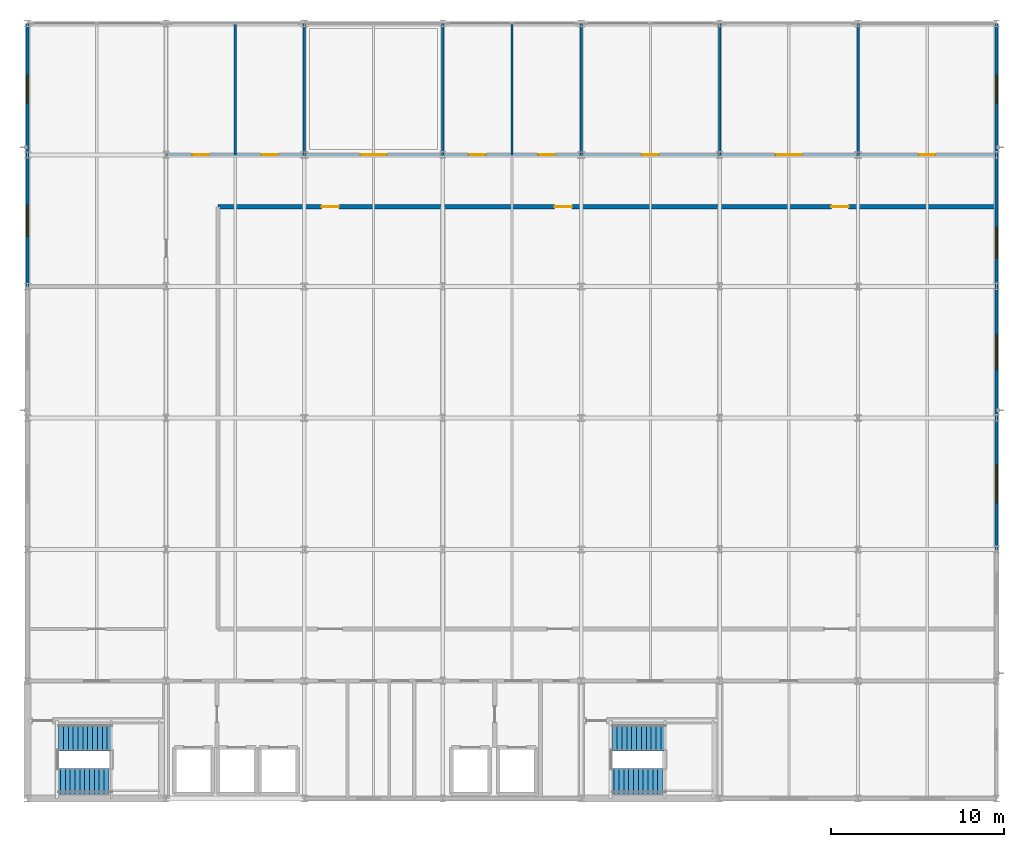
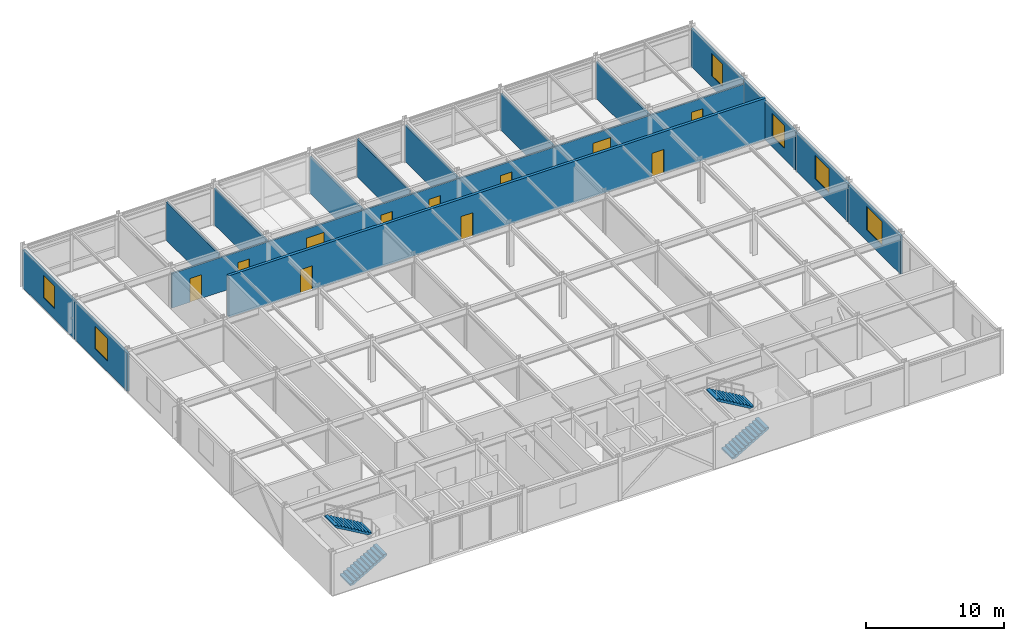
# One storey, part 13 of 18: 15 walls, 11 doors, 6 windows, 4 stair flights, 17 openings, 2 elements without a shape of their own.
"""IFC4 building model written with IfcOpenShell, lengths in metres."""

from ifc_helpers import new_model, si_unit, direction, frame, frame_2d, origin, place, context, subcontext, project, spatial, polyline, rectangle, outline, extrude, material, layer, layer_set, type_object, element, fill, aggregate, save


model = new_model("IFC4")

# Units and contexts
model_context = context("Model", 3, precision=1e-05, world=origin(), true_north=direction((0.0, 1.0)))
body_context = subcontext(model_context, "Body", "Model", "MODEL_VIEW")
ifc_project = project(units=[si_unit("LENGTHUNIT", "METRE"), si_unit("AREAUNIT", "SQUARE_METRE"), si_unit("VOLUMEUNIT", "CUBIC_METRE"), si_unit("PLANEANGLEUNIT", "RADIAN"), si_unit("MASSUNIT", "GRAM", prefix="KILO")], contexts=[model_context])

# Site, building, storey
site_placement = place(None, origin())
site = spatial("IfcSite", under=ifc_project, at=site_placement, CompositionType="ELEMENT")
building_placement = place(site_placement, origin())
building = spatial("IfcBuilding", under=site, at=building_placement, Name="Shalkamar Park Central Library", CompositionType="ELEMENT")
storey_placement = place(building_placement, frame((0.0, 0.0, 24.300048828125)))
storey = spatial("IfcBuildingStorey", under=building, at=storey_placement, Name="L06", CompositionType="ELEMENT", Elevation=24.300048828125)

# Wall, openings, doors
ifc_material_1 = material(Name="Acoustic insulated reading partition", Category="masonry")
ifc_layer_1 = layer(ifc_material_1, 0.139892578125)
ifc_layer_set_1 = layer_set([ifc_layer_1], Name="AcousticPartition_140")
wall_type_1 = type_object("IfcWallType", Name="Acoustic Partition 140", PredefinedType="PARTITIONING", material=ifc_layer_set_1)
wall_1_placement = place(storey_placement, frame((173.0, 285.60009765625, 0.0), z_axis=(0.0, 0.0, 1.0), x_axis=(1.0, 0.0, 0.0)))
wall_1 = element("IfcWall", 1, at=wall_1_placement, inside=storey, type_object=wall_type_1, Name="Interior Partition WL-INT-L06-019", PredefinedType="PARTITIONING", context=body_context, shape_type="SweptSolid", body=[
    extrude(rectangle(XDim=48.0, YDim=0.139892578125, at=frame_2d((24.0, 0.0))), origin(), (0.0, 0.0, 1.0), 3.057861328125),
])
opening_1_placement = place(wall_1_placement, frame((1.52490234375, 0.0, 0.0)))
opening_1 = element("IfcOpeningElement", 2, at=opening_1_placement, cuts=wall_1, Name="Opening DR-L06-021", PredefinedType="OPENING", context=body_context, shape_type="SweptSolid", body=[
    extrude(rectangle(XDim=0.949951171875, YDim=2.10009765625, at=frame_2d((0.47509765625, 1.050048828125))), frame((0.0, 0.0849609375, 0.0), z_axis=(0.0, -1.0, 0.0), x_axis=(1.0, 0.0, 0.0)), (0.0, 0.0, 1.0), 0.169677734375),
])
opening_2_placement = place(wall_1_placement, frame((5.52490234375, 0.0, 0.0)))
opening_2 = element("IfcOpeningElement", 3, at=opening_2_placement, cuts=wall_1, Name="Opening DR-L06-022", PredefinedType="OPENING", context=body_context, shape_type="SweptSolid", body=[
    extrude(rectangle(XDim=0.949951171875, YDim=2.10009765625, at=frame_2d((0.47509765625, 1.050048828125))), frame((0.0, 0.0849609375, 0.0), z_axis=(0.0, -1.0, 0.0), x_axis=(1.0, 0.0, 0.0)), (0.0, 0.0, 1.0), 0.169677734375),
])
opening_3_placement = place(wall_1_placement, frame((11.25, 0.0, 0.0)))
opening_3 = element("IfcOpeningElement", 4, at=opening_3_placement, cuts=wall_1, Name="Opening DR-L06-023", PredefinedType="OPENING", context=body_context, shape_type="SweptSolid", body=[
    extrude(rectangle(XDim=1.5, YDim=2.25, at=frame_2d((0.75, 1.125))), frame((0.0, 0.0849609375, 0.0), z_axis=(0.0, -1.0, 0.0), x_axis=(1.0, 0.0, 0.0)), (0.0, 0.0, 1.0), 0.169677734375),
])
opening_4_placement = place(wall_1_placement, frame((17.52490234375, 0.0, 0.0)))
opening_4 = element("IfcOpeningElement", 5, at=opening_4_placement, cuts=wall_1, Name="Opening DR-L06-024", PredefinedType="OPENING", context=body_context, shape_type="SweptSolid", body=[
    extrude(rectangle(XDim=0.949951171875, YDim=2.10009765625, at=frame_2d((0.47509765625, 1.050048828125))), frame((0.0, 0.0849609375, 0.0), z_axis=(0.0, -1.0, 0.0), x_axis=(1.0, 0.0, 0.0)), (0.0, 0.0, 1.0), 0.169677734375),
])
opening_5_placement = place(wall_1_placement, frame((21.52490234375, 0.0, 0.0)))
opening_5 = element("IfcOpeningElement", 6, at=opening_5_placement, cuts=wall_1, Name="Opening DR-L06-025", PredefinedType="OPENING", context=body_context, shape_type="SweptSolid", body=[
    extrude(rectangle(XDim=0.949951171875, YDim=2.10009765625, at=frame_2d((0.47509765625, 1.050048828125))), frame((0.0, 0.0849609375, 0.0), z_axis=(0.0, -1.0, 0.0), x_axis=(1.0, 0.0, 0.0)), (0.0, 0.0, 1.0), 0.169677734375),
])
opening_6_placement = place(wall_1_placement, frame((27.52490234375, 0.0, 0.0)))
opening_6 = element("IfcOpeningElement", 7, at=opening_6_placement, cuts=wall_1, Name="Opening DR-L06-026", PredefinedType="OPENING", context=body_context, shape_type="SweptSolid", body=[
    extrude(rectangle(XDim=0.949951171875, YDim=2.10009765625, at=frame_2d((0.47509765625, 1.050048828125))), frame((0.0, 0.0849609375, 0.0), z_axis=(0.0, -1.0, 0.0), x_axis=(1.0, 0.0, 0.0)), (0.0, 0.0, 1.0), 0.169677734375),
])
opening_7_placement = place(wall_1_placement, frame((35.25, 0.0, 0.0)))
opening_7 = element("IfcOpeningElement", 8, at=opening_7_placement, cuts=wall_1, Name="Opening DR-L06-027", PredefinedType="OPENING", context=body_context, shape_type="SweptSolid", body=[
    extrude(rectangle(XDim=1.5, YDim=2.25, at=frame_2d((0.75, 1.125))), frame((0.0, 0.0849609375, 0.0), z_axis=(0.0, -1.0, 0.0), x_axis=(1.0, 0.0, 0.0)), (0.0, 0.0, 1.0), 0.169677734375),
])
opening_8_placement = place(wall_1_placement, frame((43.52490234375, 0.0, 0.0)))
opening_8 = element("IfcOpeningElement", 9, at=opening_8_placement, cuts=wall_1, Name="Opening DR-L06-028", PredefinedType="OPENING", context=body_context, shape_type="SweptSolid", body=[
    extrude(rectangle(XDim=0.949951171875, YDim=2.10009765625, at=frame_2d((0.47509765625, 1.050048828125))), frame((0.0, 0.0849609375, 0.0), z_axis=(0.0, -1.0, 0.0), x_axis=(1.0, 0.0, 0.0)), (0.0, 0.0, 1.0), 0.169677734375),
])
ifc_material_2 = material(Name="Steel S355", Category="steel")
door_type_1 = type_object("IfcDoorType", Name="Interior Door Double 1500x2250", OperationType="DOUBLE_DOOR_SINGLE_SWING", PredefinedType="DOOR", material=ifc_material_2)
door_1_placement = place(opening_3_placement, origin())
door_1 = element("IfcDoor", 10, at=door_1_placement, inside=storey, type_object=door_type_1, Name="L06 Park View Reading Lounge West Door", OperationType="DOUBLE_DOOR_SINGLE_SWING", OverallHeight=2.25, OverallWidth=1.5, PredefinedType="DOOR", context=body_context, shape_type="SweptSolid", body=[
    extrude(rectangle(XDim=1.5, YDim=2.25, at=frame_2d((0.75, 1.125))), frame((0.0, 0.02490234375, 0.0), z_axis=(0.0, -1.0, 0.0), x_axis=(1.0, 0.0, 0.0)), (0.0, 0.0, 1.0), 0.050048828125),
])
fill(opening_3, door_1)
door_2_placement = place(opening_7_placement, origin())
door_2 = element("IfcDoor", 11, at=door_2_placement, inside=storey, type_object=door_type_1, Name="L06 Park View Reading Lounge East Door", OperationType="DOUBLE_DOOR_SINGLE_SWING", OverallHeight=2.25, OverallWidth=1.5, PredefinedType="DOOR", context=body_context, shape_type="SweptSolid", body=[
    extrude(rectangle(XDim=1.5, YDim=2.25, at=frame_2d((0.75, 1.125))), frame((0.0, 0.02490234375, 0.0), z_axis=(0.0, -1.0, 0.0), x_axis=(1.0, 0.0, 0.0)), (0.0, 0.0, 1.0), 0.050048828125),
])
fill(opening_7, door_2)
door_type_2 = type_object("IfcDoorType", Name="Interior Door Single 950x2100", OperationType="NOTDEFINED", PredefinedType="DOOR", material=ifc_material_2)
door_3_placement = place(opening_1_placement, origin())
door_3 = element("IfcDoor", 12, at=door_3_placement, inside=storey, type_object=door_type_2, Name="L06 Carrel Study 1 Door", OperationType="SINGLE_SWING_LEFT", OverallHeight=2.10009765625, OverallWidth=0.949951171875, PredefinedType="DOOR", context=body_context, shape_type="SweptSolid", body=[
    extrude(rectangle(XDim=0.949951171875, YDim=2.10009765625, at=frame_2d((0.47509765625, 1.050048828125))), frame((0.0, 0.02490234375, 0.0), z_axis=(0.0, -1.0, 0.0), x_axis=(1.0, 0.0, 0.0)), (0.0, 0.0, 1.0), 0.050048828125),
])
fill(opening_1, door_3)
door_4_placement = place(opening_2_placement, origin())
door_4 = element("IfcDoor", 13, at=door_4_placement, inside=storey, type_object=door_type_2, Name="L06 Carrel Study 2 Door", OperationType="SINGLE_SWING_LEFT", OverallHeight=2.10009765625, OverallWidth=0.949951171875, PredefinedType="DOOR", context=body_context, shape_type="SweptSolid", body=[
    extrude(rectangle(XDim=0.949951171875, YDim=2.10009765625, at=frame_2d((0.47509765625, 1.050048828125))), frame((0.0, 0.02490234375, 0.0), z_axis=(0.0, -1.0, 0.0), x_axis=(1.0, 0.0, 0.0)), (0.0, 0.0, 1.0), 0.050048828125),
])
fill(opening_2, door_4)
door_5_placement = place(opening_4_placement, origin())
door_5 = element("IfcDoor", 14, at=door_5_placement, inside=storey, type_object=door_type_2, Name="L06 Carrel Study 3 Door", OperationType="SINGLE_SWING_LEFT", OverallHeight=2.10009765625, OverallWidth=0.949951171875, PredefinedType="DOOR", context=body_context, shape_type="SweptSolid", body=[
    extrude(rectangle(XDim=0.949951171875, YDim=2.10009765625, at=frame_2d((0.47509765625, 1.050048828125))), frame((0.0, 0.02490234375, 0.0), z_axis=(0.0, -1.0, 0.0), x_axis=(1.0, 0.0, 0.0)), (0.0, 0.0, 1.0), 0.050048828125),
])
fill(opening_4, door_5)
door_6_placement = place(opening_5_placement, origin())
door_6 = element("IfcDoor", 15, at=door_6_placement, inside=storey, type_object=door_type_2, Name="L06 Carrel Study 4 Door", OperationType="SINGLE_SWING_LEFT", OverallHeight=2.10009765625, OverallWidth=0.949951171875, PredefinedType="DOOR", context=body_context, shape_type="SweptSolid", body=[
    extrude(rectangle(XDim=0.949951171875, YDim=2.10009765625, at=frame_2d((0.47509765625, 1.050048828125))), frame((0.0, 0.02490234375, 0.0), z_axis=(0.0, -1.0, 0.0), x_axis=(1.0, 0.0, 0.0)), (0.0, 0.0, 1.0), 0.050048828125),
])
fill(opening_5, door_6)
door_7_placement = place(opening_6_placement, origin())
door_7 = element("IfcDoor", 16, at=door_7_placement, inside=storey, type_object=door_type_2, Name="L06 Carrel Study 5 Door", OperationType="SINGLE_SWING_RIGHT", OverallHeight=2.10009765625, OverallWidth=0.949951171875, PredefinedType="DOOR", context=body_context, shape_type="SweptSolid", body=[
    extrude(rectangle(XDim=0.949951171875, YDim=2.10009765625, at=frame_2d((0.47509765625, 1.050048828125))), frame((0.0, 0.02490234375, 0.0), z_axis=(0.0, -1.0, 0.0), x_axis=(1.0, 0.0, 0.0)), (0.0, 0.0, 1.0), 0.050048828125),
])
fill(opening_6, door_7)
door_8_placement = place(opening_8_placement, origin())
door_8 = element("IfcDoor", 17, at=door_8_placement, inside=storey, type_object=door_type_2, Name="L06 Seminar Room Door", OperationType="SINGLE_SWING_RIGHT", OverallHeight=2.10009765625, OverallWidth=0.949951171875, PredefinedType="DOOR", context=body_context, shape_type="SweptSolid", body=[
    extrude(rectangle(XDim=0.949951171875, YDim=2.10009765625, at=frame_2d((0.47509765625, 1.050048828125))), frame((0.0, 0.02490234375, 0.0), z_axis=(0.0, -1.0, 0.0), x_axis=(1.0, 0.0, 0.0)), (0.0, 0.0, 1.0), 0.050048828125),
])
fill(opening_8, door_8)

# Walls
wall_2_placement = place(storey_placement, frame((177.0, 285.60009765625, 0.0), z_axis=(0.0, 0.0, 1.0), x_axis=(0.0, 1.0, 0.0)))
element("IfcWall", 18, at=wall_2_placement, inside=storey, type_object=wall_type_1, Name="Interior Partition WL-INT-L06-020", PredefinedType="PARTITIONING", context=body_context, shape_type="SweptSolid", body=[
    extrude(rectangle(XDim=7.599853515625, YDim=0.139892578125, at=frame_2d((3.7998046875, 0.0))), origin(), (0.0, 0.0, 1.0), 3.387939453125),
])
for number, where, z_axis, x_axis, name in (
    (19, (181.0, 285.60009765625, 0.0), (0.0, 0.0, 1.0), (0.0, 1.0, 0.0), "Interior Partition WL-INT-L06-021"),
    (20, (189.0, 285.60009765625, 0.0), (0.0, 0.0, 1.0), (0.0, 1.0, 0.0), "Interior Partition WL-INT-L06-022"),
):
    element("IfcWall", number, at=place(storey_placement, frame(where, z_axis=z_axis, x_axis=x_axis)), inside=storey, type_object=wall_type_1, Name=name, PredefinedType="PARTITIONING", context=body_context, shape_type="SweptSolid", body=[
        extrude(rectangle(XDim=7.599853515625, YDim=0.139892578125, at=frame_2d((3.7998046875, 0.0))), origin(), (0.0, 0.0, 1.0), 3.2080078125),
    ])
wall_3_placement = place(storey_placement, frame((193.0, 285.60009765625, 0.0), z_axis=(0.0, 0.0, 1.0), x_axis=(0.0, 1.0, 0.0)))
element("IfcWall", 21, at=wall_3_placement, inside=storey, type_object=wall_type_1, Name="Interior Partition WL-INT-L06-023", PredefinedType="PARTITIONING", context=body_context, shape_type="SweptSolid", body=[
    extrude(rectangle(XDim=7.599853515625, YDim=0.139892578125, at=frame_2d((3.7998046875, 0.0))), origin(), (0.0, 0.0, 1.0), 3.387939453125),
])
for number, where, z_axis, x_axis, name in (
    (22, (197.0, 285.60009765625, 0.0), (0.0, 0.0, 1.0), (0.0, 1.0, 0.0), "Interior Partition WL-INT-L06-024"),
    (23, (205.0, 285.60009765625, 0.0), (0.0, 0.0, 1.0), (0.0, 1.0, 0.0), "Interior Partition WL-INT-L06-025"),
    (24, (213.0, 285.60009765625, 0.0), (0.0, 0.0, 1.0), (0.0, 1.0, 0.0), "Interior Partition WL-INT-L06-026"),
):
    element("IfcWall", number, at=place(storey_placement, frame(where, z_axis=z_axis, x_axis=x_axis)), inside=storey, type_object=wall_type_1, Name=name, PredefinedType="PARTITIONING", context=body_context, shape_type="SweptSolid", body=[
        extrude(rectangle(XDim=7.599853515625, YDim=0.139892578125, at=frame_2d((3.7998046875, 0.0))), origin(), (0.0, 0.0, 1.0), 3.2080078125),
    ])

# Wall, openings, doors
ifc_material_3 = material(Name="Reinforced fire-compartment masonry wall", Category="masonry")
ifc_layer_2 = layer(ifc_material_3, 0.239990234375)
ifc_layer_set_2 = layer_set([ifc_layer_2], Name="CompartmentWall_240")
wall_type_2 = type_object("IfcWallType", Name="Compartment Wall 240", PredefinedType="PARTITIONING", material=ifc_layer_set_2)
wall_4_placement = place(storey_placement, frame((176.0, 282.60009765625, 0.0), z_axis=(0.0, 0.0, 1.0), x_axis=(1.0, 0.0, 0.0)))
wall_4 = element("IfcWall", 25, at=wall_4_placement, inside=storey, type_object=wall_type_2, Name="Interior Partition WL-INT-L06-016", PredefinedType="PARTITIONING", context=body_context, shape_type="SweptSolid", body=[
    extrude(rectangle(XDim=45.0, YDim=0.239990234375, at=frame_2d((22.5, 0.0))), origin(), (0.0, 0.0, 1.0), 3.659912109375),
])
opening_9_placement = place(wall_4_placement, frame((6.0, 0.0, 0.0)))
opening_9 = element("IfcOpeningElement", 26, at=opening_9_placement, cuts=wall_4, Name="Opening DR-L06-018", PredefinedType="OPENING", context=body_context, shape_type="SweptSolid", body=[
    extrude(rectangle(XDim=1.0, YDim=2.10009765625, at=frame_2d((0.5, 1.050048828125))), frame((0.0, 0.134765625, 0.0), z_axis=(0.0, -1.0, 0.0), x_axis=(1.0, 0.0, 0.0)), (0.0, 0.0, 1.0), 0.269775390625),
])
opening_10_placement = place(wall_4_placement, frame((19.4599609375, 0.0, 0.0)))
opening_10 = element("IfcOpeningElement", 27, at=opening_10_placement, cuts=wall_4, Name="Opening DR-L06-019", PredefinedType="OPENING", context=body_context, shape_type="SweptSolid", body=[
    extrude(rectangle(XDim=1.0, YDim=2.10009765625, at=frame_2d((0.5, 1.050048828125))), frame((0.0, 0.134765625, 0.0), z_axis=(0.0, -1.0, 0.0), x_axis=(1.0, 0.0, 0.0)), (0.0, 0.0, 1.0), 0.269775390625),
])
opening_11_placement = place(wall_4_placement, frame((35.4599609375, 0.0, 0.0)))
opening_11 = element("IfcOpeningElement", 28, at=opening_11_placement, cuts=wall_4, Name="Opening DR-L06-020", PredefinedType="OPENING", context=body_context, shape_type="SweptSolid", body=[
    extrude(rectangle(XDim=1.0, YDim=2.10009765625, at=frame_2d((0.5, 1.050048828125))), frame((0.0, 0.134765625, 0.0), z_axis=(0.0, -1.0, 0.0), x_axis=(1.0, 0.0, 0.0)), (0.0, 0.0, 1.0), 0.269775390625),
])
door_type_3 = type_object("IfcDoorType", Name="Fire Door Single 1000x2100", OperationType="NOTDEFINED", PredefinedType="DOOR", material=ifc_material_2)
door_9_placement = place(opening_9_placement, frame((1.0, 0.0, 0.0), z_axis=(0.0, 0.0, 1.0), x_axis=(-1.0, 0.0, 0.0)))
door_9 = element("IfcDoor", 29, at=door_9_placement, inside=storey, type_object=door_type_3, Name="L06 Stacks A North Escape Door", OperationType="SINGLE_SWING_RIGHT", OverallHeight=2.10009765625, OverallWidth=1.0, PredefinedType="DOOR", context=body_context, shape_type="SweptSolid", body=[
    extrude(rectangle(XDim=1.0, YDim=2.10009765625, at=frame_2d((0.5, 1.050048828125))), frame((0.0, 0.02490234375, 0.0), z_axis=(0.0, -1.0, 0.0), x_axis=(1.0, 0.0, 0.0)), (0.0, 0.0, 1.0), 0.050048828125),
])
fill(opening_9, door_9)
door_10_placement = place(opening_10_placement, frame((1.0, 0.0, 0.0), z_axis=(0.0, 0.0, 1.0), x_axis=(-1.0, 0.0, 0.0)))
door_10 = element("IfcDoor", 30, at=door_10_placement, inside=storey, type_object=door_type_3, Name="L06 Stacks B North Escape Door", OperationType="SINGLE_SWING_RIGHT", OverallHeight=2.10009765625, OverallWidth=1.0, PredefinedType="DOOR", context=body_context, shape_type="SweptSolid", body=[
    extrude(rectangle(XDim=1.0, YDim=2.10009765625, at=frame_2d((0.5, 1.050048828125))), frame((0.0, 0.02490234375, 0.0), z_axis=(0.0, -1.0, 0.0), x_axis=(1.0, 0.0, 0.0)), (0.0, 0.0, 1.0), 0.050048828125),
])
fill(opening_10, door_10)
door_11_placement = place(opening_11_placement, frame((1.0, 0.0, 0.0), z_axis=(0.0, 0.0, 1.0), x_axis=(-1.0, 0.0, 0.0)))
door_11 = element("IfcDoor", 31, at=door_11_placement, inside=storey, type_object=door_type_3, Name="L06 Stacks C North Escape Door", OperationType="SINGLE_SWING_LEFT", OverallHeight=2.10009765625, OverallWidth=1.0, PredefinedType="DOOR", context=body_context, shape_type="SweptSolid", body=[
    extrude(rectangle(XDim=1.0, YDim=2.10009765625, at=frame_2d((0.5, 1.050048828125))), frame((0.0, 0.02490234375, 0.0), z_axis=(0.0, -1.0, 0.0), x_axis=(1.0, 0.0, 0.0)), (0.0, 0.0, 1.0), 0.050048828125),
])
fill(opening_11, door_11)

# Wall, opening, window
ifc_material_4 = material(Name="Terracotta insulated wall panel", Category="masonry")
ifc_layer_3 = layer(ifc_material_4, 0.179931640625)
ifc_layer_set_3 = layer_set([ifc_layer_3], Name="TowerSpandrelWall_180")
wall_type_3 = type_object("IfcWallType", Name="Tower Spandrel Wall 180", PredefinedType="SOLIDWALL", material=ifc_layer_set_3)
wall_5_placement = place(storey_placement, frame((165.0, 278.006103515625, 0.0), z_axis=(0.0, 0.0, 1.0), x_axis=(0.0, 1.0, 0.0)))
wall_5 = element("IfcWall", 32, at=wall_5_placement, inside=storey, type_object=wall_type_3, Name="Exterior Facade Wall WL-EXT-L06-150", PredefinedType="SOLIDWALL", context=body_context, shape_type="SweptSolid", body=[
    extrude(rectangle(XDim=7.587890625, YDim=0.179931640625, at=frame_2d((3.7939453125, 0.0))), origin(), (0.0, 0.0, 1.0), 3.387939453125),
])
opening_12_placement = place(wall_5_placement, frame((2.89404296875, 0.0, 0.949951171875)))
opening_12 = element("IfcOpeningElement", 33, at=opening_12_placement, cuts=wall_5, Name="Opening WN-12", PredefinedType="OPENING", context=body_context, shape_type="SweptSolid", body=[
    extrude(rectangle(XDim=1.800048828125, YDim=2.0, at=frame_2d((0.89990234375, 1.0))), frame((0.0, 0.10498046875, 0.0), z_axis=(0.0, -1.0, 0.0), x_axis=(1.0, 0.0, 0.0)), (0.0, 0.0, 1.0), 0.209716796875),
])
ifc_material_5 = material(Name="Thermally broken aluminium and triple low-e glass", Category="glass")
window_type_1 = type_object("IfcWindowType", Name="Tower Window 1800x2000", PartitioningType="DOUBLE_PANEL_VERTICAL", PredefinedType="WINDOW", material=ifc_material_5)
window_1_placement = place(opening_12_placement, origin())
window_1 = element("IfcWindow", 34, at=window_1_placement, inside=storey, type_object=window_type_1, Name="Facade Window WN-L06-101", OverallHeight=2.0, OverallWidth=1.800048828125, PartitioningType="DOUBLE_PANEL_VERTICAL", PredefinedType="WINDOW", context=body_context, shape_type="SweptSolid", body=[
    extrude(rectangle(XDim=1.800048828125, YDim=2.0, at=frame_2d((0.89990234375, 1.0))), frame((0.0, 0.030029296875, 0.0), z_axis=(0.0, -1.0, 0.0), x_axis=(1.0, 0.0, 0.0)), (0.0, 0.0, 1.0), 0.06005859375),
])
fill(opening_12, window_1)

wall_6_placement = place(storey_placement, frame((165.0, 285.60595703125, 0.0), z_axis=(0.0, 0.0, 1.0), x_axis=(0.0, 1.0, 0.0)))
wall_6 = element("IfcWall", 35, at=wall_6_placement, inside=storey, type_object=wall_type_3, Name="Exterior Facade Wall WL-EXT-L06-151", PredefinedType="SOLIDWALL", context=body_context, shape_type="SweptSolid", body=[
    extrude(rectangle(XDim=7.588134765625, YDim=0.179931640625, at=frame_2d((3.7939453125, 0.0))), origin(), (0.0, 0.0, 1.0), 3.387939453125),
])
opening_13_placement = place(wall_6_placement, frame((2.993896484375, 0.0, 0.949951171875)))
opening_13 = element("IfcOpeningElement", 36, at=opening_13_placement, cuts=wall_6, Name="Opening WN-13", PredefinedType="OPENING", context=body_context, shape_type="SweptSolid", body=[
    extrude(rectangle(XDim=1.60009765625, YDim=2.0, at=frame_2d((0.800048828125, 1.0))), frame((0.0, 0.10498046875, 0.0), z_axis=(0.0, -1.0, 0.0), x_axis=(1.0, 0.0, 0.0)), (0.0, 0.0, 1.0), 0.209716796875),
])
window_type_2 = type_object("IfcWindowType", Name="Tower Window 1600x2000", PartitioningType="SINGLE_PANEL", PredefinedType="WINDOW", material=ifc_material_5)
window_2_placement = place(opening_13_placement, origin())
window_2 = element("IfcWindow", 37, at=window_2_placement, inside=storey, type_object=window_type_2, Name="Facade Window WN-L06-102", OverallHeight=2.0, OverallWidth=1.60009765625, PartitioningType="SINGLE_PANEL", PredefinedType="WINDOW", context=body_context, shape_type="SweptSolid", body=[
    extrude(rectangle(XDim=1.60009765625, YDim=2.0, at=frame_2d((0.800048828125, 1.0))), frame((0.0, 0.030029296875, 0.0), z_axis=(0.0, -1.0, 0.0), x_axis=(1.0, 0.0, 0.0)), (0.0, 0.0, 1.0), 0.06005859375),
])
fill(opening_13, window_2)

wall_7_placement = place(storey_placement, frame((221.0, 262.805908203125, 0.0), z_axis=(0.0, 0.0, 1.0), x_axis=(0.0, 1.0, 0.0)))
wall_7 = element("IfcWall", 38, at=wall_7_placement, inside=storey, type_object=wall_type_3, Name="Exterior Facade Wall WL-EXT-L06-154", PredefinedType="SOLIDWALL", context=body_context, shape_type="SweptSolid", body=[
    extrude(rectangle(XDim=7.588134765625, YDim=0.179931640625, at=frame_2d((3.7939453125, 0.0))), origin(), (0.0, 0.0, 1.0), 3.387939453125),
])
opening_14_placement = place(wall_7_placement, frame((2.694091796875, 0.0, 0.949951171875)))
opening_14 = element("IfcOpeningElement", 39, at=opening_14_placement, cuts=wall_7, Name="Opening WN-10", PredefinedType="OPENING", context=body_context, shape_type="SweptSolid", body=[
    extrude(rectangle(XDim=2.199951171875, YDim=2.10009765625, at=frame_2d((1.10009765625, 1.050048828125))), frame((0.0, 0.10498046875, 0.0), z_axis=(0.0, -1.0, 0.0), x_axis=(1.0, 0.0, 0.0)), (0.0, 0.0, 1.0), 0.209716796875),
])
window_type_3 = type_object("IfcWindowType", Name="Tower Window 2200x2100", PartitioningType="DOUBLE_PANEL_VERTICAL", PredefinedType="WINDOW", material=ifc_material_5)
window_3_placement = place(opening_14_placement, origin())
window_3 = element("IfcWindow", 40, at=window_3_placement, inside=storey, type_object=window_type_3, Name="Facade Window WN-L06-105", OverallHeight=2.10009765625, OverallWidth=2.199951171875, PartitioningType="DOUBLE_PANEL_VERTICAL", PredefinedType="WINDOW", context=body_context, shape_type="SweptSolid", body=[
    extrude(rectangle(XDim=2.199951171875, YDim=2.10009765625, at=frame_2d((1.10009765625, 1.050048828125))), frame((0.0, 0.030029296875, 0.0), z_axis=(0.0, -1.0, 0.0), x_axis=(1.0, 0.0, 0.0)), (0.0, 0.0, 1.0), 0.06005859375),
])
fill(opening_14, window_3)

wall_8_placement = place(storey_placement, frame((221.0, 270.406005859375, 0.0), z_axis=(0.0, 0.0, 1.0), x_axis=(0.0, 1.0, 0.0)))
wall_8 = element("IfcWall", 41, at=wall_8_placement, inside=storey, type_object=wall_type_3, Name="Exterior Facade Wall WL-EXT-L06-155", PredefinedType="SOLIDWALL", context=body_context, shape_type="SweptSolid", body=[
    extrude(rectangle(XDim=7.587890625, YDim=0.179931640625, at=frame_2d((3.7939453125, 0.0))), origin(), (0.0, 0.0, 1.0), 3.387939453125),
])
opening_15_placement = place(wall_8_placement, frame((2.7939453125, 0.0, 0.949951171875)))
opening_15 = element("IfcOpeningElement", 42, at=opening_15_placement, cuts=wall_8, Name="Opening WN-11", PredefinedType="OPENING", context=body_context, shape_type="SweptSolid", body=[
    extrude(rectangle(XDim=2.0, YDim=2.10009765625, at=frame_2d((1.0, 1.050048828125))), frame((0.0, 0.10498046875, 0.0), z_axis=(0.0, -1.0, 0.0), x_axis=(1.0, 0.0, 0.0)), (0.0, 0.0, 1.0), 0.209716796875),
])
window_type_4 = type_object("IfcWindowType", Name="Tower Window 2000x2100", PartitioningType="DOUBLE_PANEL_VERTICAL", PredefinedType="WINDOW", material=ifc_material_5)
window_4_placement = place(opening_15_placement, origin())
window_4 = element("IfcWindow", 43, at=window_4_placement, inside=storey, type_object=window_type_4, Name="Facade Window WN-L06-106", OverallHeight=2.10009765625, OverallWidth=2.0, PartitioningType="DOUBLE_PANEL_VERTICAL", PredefinedType="WINDOW", context=body_context, shape_type="SweptSolid", body=[
    extrude(rectangle(XDim=2.0, YDim=2.10009765625, at=frame_2d((1.0, 1.050048828125))), frame((0.0, 0.030029296875, 0.0), z_axis=(0.0, -1.0, 0.0), x_axis=(1.0, 0.0, 0.0)), (0.0, 0.0, 1.0), 0.06005859375),
])
fill(opening_15, window_4)

wall_9_placement = place(storey_placement, frame((221.0, 278.006103515625, 0.0), z_axis=(0.0, 0.0, 1.0), x_axis=(0.0, 1.0, 0.0)))
wall_9 = element("IfcWall", 44, at=wall_9_placement, inside=storey, type_object=wall_type_3, Name="Exterior Facade Wall WL-EXT-L06-156", PredefinedType="SOLIDWALL", context=body_context, shape_type="SweptSolid", body=[
    extrude(rectangle(XDim=7.587890625, YDim=0.179931640625, at=frame_2d((3.7939453125, 0.0))), origin(), (0.0, 0.0, 1.0), 3.387939453125),
])
opening_16_placement = place(wall_9_placement, frame((1.6220703125, 0.0, 0.949951171875)))
opening_16 = element("IfcOpeningElement", 45, at=opening_16_placement, cuts=wall_9, Name="Opening WN-12", PredefinedType="OPENING", context=body_context, shape_type="SweptSolid", body=[
    extrude(rectangle(XDim=1.800048828125, YDim=2.0, at=frame_2d((0.89990234375, 1.0))), frame((0.0, 0.10498046875, 0.0), z_axis=(0.0, -1.0, 0.0), x_axis=(1.0, 0.0, 0.0)), (0.0, 0.0, 1.0), 0.209716796875),
])
window_5_placement = place(opening_16_placement, origin())
window_5 = element("IfcWindow", 46, at=window_5_placement, inside=storey, type_object=window_type_1, Name="Facade Window WN-L06-107", OverallHeight=2.0, OverallWidth=1.800048828125, PartitioningType="DOUBLE_PANEL_VERTICAL", PredefinedType="WINDOW", context=body_context, shape_type="SweptSolid", body=[
    extrude(rectangle(XDim=1.800048828125, YDim=2.0, at=frame_2d((0.89990234375, 1.0))), frame((0.0, 0.030029296875, 0.0), z_axis=(0.0, -1.0, 0.0), x_axis=(1.0, 0.0, 0.0)), (0.0, 0.0, 1.0), 0.06005859375),
])
fill(opening_16, window_5)

wall_10_placement = place(storey_placement, frame((221.0, 285.60595703125, 0.0), z_axis=(0.0, 0.0, 1.0), x_axis=(0.0, 1.0, 0.0)))
wall_10 = element("IfcWall", 47, at=wall_10_placement, inside=storey, type_object=wall_type_3, Name="Exterior Facade Wall WL-EXT-L06-157", PredefinedType="SOLIDWALL", context=body_context, shape_type="SweptSolid", body=[
    extrude(rectangle(XDim=7.588134765625, YDim=0.179931640625, at=frame_2d((3.7939453125, 0.0))), origin(), (0.0, 0.0, 1.0), 3.387939453125),
])
opening_17_placement = place(wall_10_placement, frame((2.993896484375, 0.0, 0.949951171875)))
opening_17 = element("IfcOpeningElement", 48, at=opening_17_placement, cuts=wall_10, Name="Opening WN-13", PredefinedType="OPENING", context=body_context, shape_type="SweptSolid", body=[
    extrude(rectangle(XDim=1.60009765625, YDim=2.0, at=frame_2d((0.800048828125, 1.0))), frame((0.0, 0.10498046875, 0.0), z_axis=(0.0, -1.0, 0.0), x_axis=(1.0, 0.0, 0.0)), (0.0, 0.0, 1.0), 0.209716796875),
])
window_6_placement = place(opening_17_placement, origin())
window_6 = element("IfcWindow", 49, at=window_6_placement, inside=storey, type_object=window_type_2, Name="Facade Window WN-L06-108", OverallHeight=2.0, OverallWidth=1.60009765625, PartitioningType="SINGLE_PANEL", PredefinedType="WINDOW", context=body_context, shape_type="SweptSolid", body=[
    extrude(rectangle(XDim=1.60009765625, YDim=2.0, at=frame_2d((0.800048828125, 1.0))), frame((0.0, 0.030029296875, 0.0), z_axis=(0.0, -1.0, 0.0), x_axis=(1.0, 0.0, 0.0)), (0.0, 0.0, 1.0), 0.06005859375),
])
fill(opening_17, window_6)

# Stair, stair flights
ifc_material_6 = material(Name="Concrete C35/45", Category="concrete")
stair_type = type_object("IfcStairType", Name="Protected Dog Leg Stair 150x390", PredefinedType="TWO_STRAIGHT_RUN_STAIR", material=ifc_material_6)
stair_1_placement = place(storey_placement, origin())
stair_1 = element("IfcStair", 50, at=stair_1_placement, inside=storey, type_object=stair_type, Name="Protected Core Stair ST-T1-L06", PredefinedType="TWO_STRAIGHT_RUN_STAIR")
stair_flight_type = type_object("IfcStairFlightType", Name="Straight Stair Flight 150x390", PredefinedType="STRAIGHT", material=ifc_material_6)
stair_flight_1_placement = place(storey_placement, frame((166.6201171875, 249.389892578125, 0.0), z_axis=(0.0, 0.0, 1.0), x_axis=(1.0, 0.0, 0.0)))
stair_flight_1 = element("IfcStairFlight", 51, at=stair_flight_1_placement, type_object=stair_flight_type, Name="ST-T1-L06 flight 1", NumberOfRisers=12, NumberOfTreads=11, PredefinedType="STRAIGHT", RiserHeight=0.1625, TreadLength=0.28, context=body_context, shape_type="SweptSolid", body=[
    extrude(outline(polyline([(0.0, 0.0), (0.0, 0.16259765625), (0.280029296875, 0.16259765625), (0.280029296875, 0.324951171875), (0.56005859375, 0.324951171875), (0.56005859375, 0.487548828125), (0.840087890625, 0.487548828125), (0.840087890625, 0.64990234375), (1.1201171875, 0.64990234375), (1.1201171875, 0.8125), (1.39990234375, 0.8125), (1.39990234375, 0.97509765625), (1.679931640625, 0.97509765625), (1.679931640625, 1.137451171875), (1.9599609375, 1.137451171875), (1.9599609375, 1.300048828125), (2.239990234375, 1.300048828125), (2.239990234375, 1.46240234375), (2.52001953125, 1.46240234375), (2.52001953125, 1.625), (2.800048828125, 1.625), (2.800048828125, 1.78759765625), (3.080078125, 1.78759765625), (3.080078125, 1.949951171875), (3.080078125, 1.6142578125), (0.298583984375, 0.0), (0.0, 0.0)])), frame((0.0, 0.75, 0.0), z_axis=(0.0, -1.0, 0.0), x_axis=(1.0, 0.0, 0.0)), (0.0, 0.0, 1.0), 1.5),
])
stair_flight_2_placement = place(storey_placement, frame((169.8798828125, 251.909912109375, 1.949951171875), z_axis=(0.0, 0.0, 1.0), x_axis=(-1.0, 0.0, 0.0)))
stair_flight_2 = element("IfcStairFlight", 52, at=stair_flight_2_placement, type_object=stair_flight_type, Name="ST-T1-L06 flight 2", NumberOfRisers=12, NumberOfTreads=11, PredefinedType="STRAIGHT", RiserHeight=0.1625, TreadLength=0.28, context=body_context, shape_type="SweptSolid", body=[
    extrude(outline(polyline([(0.0, 0.0), (0.0, 0.16259765625), (0.280029296875, 0.16259765625), (0.280029296875, 0.324951171875), (0.56005859375, 0.324951171875), (0.56005859375, 0.487548828125), (0.840087890625, 0.487548828125), (0.840087890625, 0.64990234375), (1.1201171875, 0.64990234375), (1.1201171875, 0.8125), (1.39990234375, 0.8125), (1.39990234375, 0.97509765625), (1.679931640625, 0.97509765625), (1.679931640625, 1.137451171875), (1.9599609375, 1.137451171875), (1.9599609375, 1.300048828125), (2.239990234375, 1.300048828125), (2.239990234375, 1.46240234375), (2.52001953125, 1.46240234375), (2.52001953125, 1.625), (2.800048828125, 1.625), (2.800048828125, 1.78759765625), (3.080078125, 1.78759765625), (3.080078125, 1.949951171875), (3.080078125, 1.6142578125), (0.298583984375, 0.0), (0.0, 0.0)])), frame((0.0, 0.75, 0.0), z_axis=(0.0, -1.0, 0.0), x_axis=(1.0, 0.0, 0.0)), (0.0, 0.0, 1.0), 1.5),
])
aggregate(stair_1, [stair_flight_1, stair_flight_2])

stair_2_placement = place(storey_placement, origin())
stair_2 = element("IfcStair", 53, at=stair_2_placement, inside=storey, type_object=stair_type, Name="Protected Core Stair ST-T2-L06", PredefinedType="TWO_STRAIGHT_RUN_STAIR")
stair_flight_3_placement = place(storey_placement, frame((198.6201171875, 249.389892578125, 0.0), z_axis=(0.0, 0.0, 1.0), x_axis=(1.0, 0.0, 0.0)))
stair_flight_3 = element("IfcStairFlight", 54, at=stair_flight_3_placement, type_object=stair_flight_type, Name="ST-T2-L06 flight 1", NumberOfRisers=12, NumberOfTreads=11, PredefinedType="STRAIGHT", RiserHeight=0.1625, TreadLength=0.28, context=body_context, shape_type="SweptSolid", body=[
    extrude(outline(polyline([(0.0, 0.0), (0.0, 0.16259765625), (0.280029296875, 0.16259765625), (0.280029296875, 0.324951171875), (0.56005859375, 0.324951171875), (0.56005859375, 0.487548828125), (0.840087890625, 0.487548828125), (0.840087890625, 0.64990234375), (1.1201171875, 0.64990234375), (1.1201171875, 0.8125), (1.39990234375, 0.8125), (1.39990234375, 0.97509765625), (1.679931640625, 0.97509765625), (1.679931640625, 1.137451171875), (1.9599609375, 1.137451171875), (1.9599609375, 1.300048828125), (2.239990234375, 1.300048828125), (2.239990234375, 1.46240234375), (2.52001953125, 1.46240234375), (2.52001953125, 1.625), (2.800048828125, 1.625), (2.800048828125, 1.78759765625), (3.080078125, 1.78759765625), (3.080078125, 1.949951171875), (3.080078125, 1.6142578125), (0.298583984375, 0.0), (0.0, 0.0)])), frame((0.0, 0.75, 0.0), z_axis=(0.0, -1.0, 0.0), x_axis=(1.0, 0.0, 0.0)), (0.0, 0.0, 1.0), 1.5),
])
stair_flight_4_placement = place(storey_placement, frame((201.8798828125, 251.909912109375, 1.949951171875), z_axis=(0.0, 0.0, 1.0), x_axis=(-1.0, 0.0, 0.0)))
stair_flight_4 = element("IfcStairFlight", 55, at=stair_flight_4_placement, type_object=stair_flight_type, Name="ST-T2-L06 flight 2", NumberOfRisers=12, NumberOfTreads=11, PredefinedType="STRAIGHT", RiserHeight=0.1625, TreadLength=0.28, context=body_context, shape_type="SweptSolid", body=[
    extrude(outline(polyline([(0.0, 0.0), (0.0, 0.16259765625), (0.280029296875, 0.16259765625), (0.280029296875, 0.324951171875), (0.56005859375, 0.324951171875), (0.56005859375, 0.487548828125), (0.840087890625, 0.487548828125), (0.840087890625, 0.64990234375), (1.1201171875, 0.64990234375), (1.1201171875, 0.8125), (1.39990234375, 0.8125), (1.39990234375, 0.97509765625), (1.679931640625, 0.97509765625), (1.679931640625, 1.137451171875), (1.9599609375, 1.137451171875), (1.9599609375, 1.300048828125), (2.239990234375, 1.300048828125), (2.239990234375, 1.46240234375), (2.52001953125, 1.46240234375), (2.52001953125, 1.625), (2.800048828125, 1.625), (2.800048828125, 1.78759765625), (3.080078125, 1.78759765625), (3.080078125, 1.949951171875), (3.080078125, 1.6142578125), (0.298583984375, 0.0), (0.0, 0.0)])), frame((0.0, 0.75, 0.0), z_axis=(0.0, -1.0, 0.0), x_axis=(1.0, 0.0, 0.0)), (0.0, 0.0, 1.0), 1.5),
])
aggregate(stair_2, [stair_flight_3, stair_flight_4])

save(model, "model.ifc")
